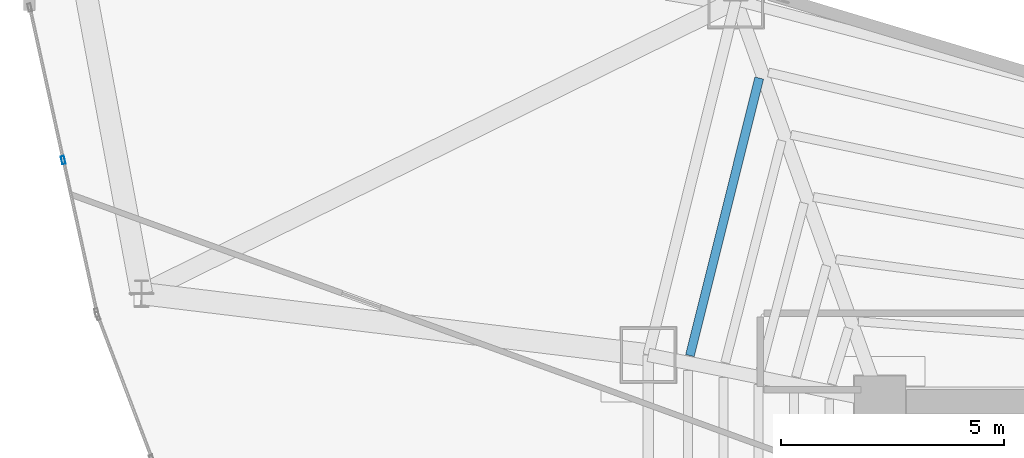
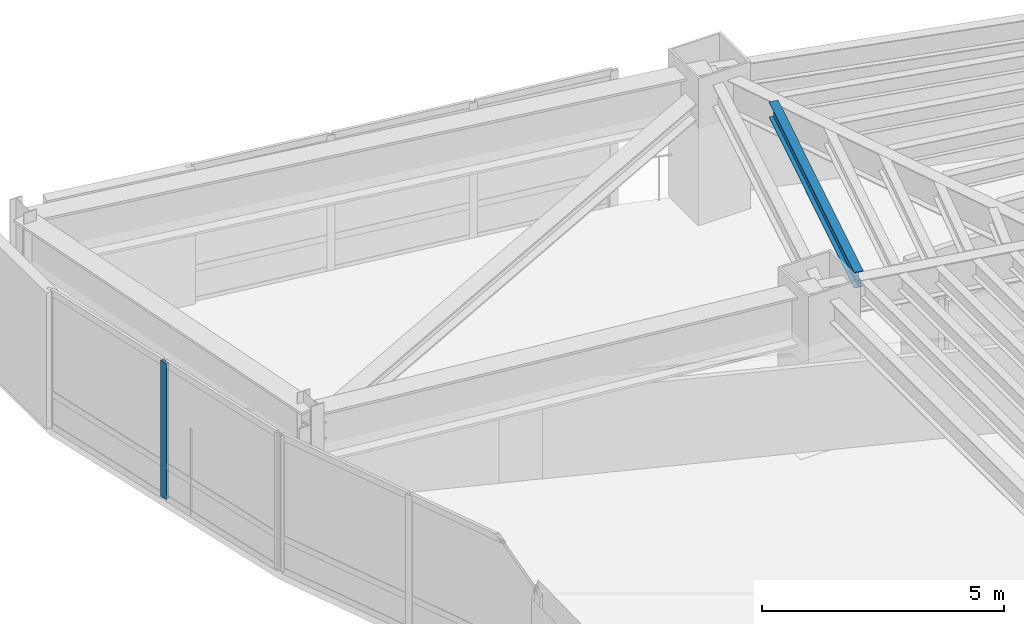
# One storey, part 9 of 25: 1 beam, 1 member, 1 element without a shape of its own.
"""IFC4 building model written with IfcOpenShell, lengths in metres."""

from ifc_helpers import new_model, si_unit, direction, frame, origin, origin_2d, place, context, subcontext, project, spatial, hollow_rectangle, i_section, extrude, material, layer, layer_set, material_profile, profile_set, type_object, element, aggregate, save


model = new_model("IFC4")

# Units and contexts
model_context = context("Model", 3, precision=1e-05, world=origin(), true_north=direction((0.0, 1.0)))
body_context = subcontext(model_context, "Body", "Model", "MODEL_VIEW")
ifc_project = project(units=[si_unit("LENGTHUNIT", "METRE"), si_unit("AREAUNIT", "SQUARE_METRE"), si_unit("VOLUMEUNIT", "CUBIC_METRE"), si_unit("PLANEANGLEUNIT", "RADIAN"), si_unit("MASSUNIT", "GRAM", prefix="KILO")], contexts=[model_context])

# Site, building, storey
site_placement = place(None, origin())
site = spatial("IfcSite", under=ifc_project, at=site_placement, CompositionType="ELEMENT")
building_placement = place(site_placement, origin())
building = spatial("IfcBuilding", under=site, at=building_placement, Name="Menara Vayukalpa", CompositionType="ELEMENT")
storey_placement = place(building_placement, frame((0.0, 0.0, 115.139892578125)))
storey = spatial("IfcBuildingStorey", under=building, at=storey_placement, Name="L28", CompositionType="ELEMENT", Elevation=115.139892578125)

# Beam
ifc_material_1 = material(Name="Steel S355", Category="steel")
ifc_material_profile_1 = material_profile(ifc_material_1, i_section(OverallWidth=0.199951171875, OverallDepth=0.39990234375, WebThickness=0.008056640625, FlangeThickness=0.012939453125, at=origin_2d()), Name="WF 400x200x8x13")
ifc_profile_set_1 = profile_set([ifc_material_profile_1], Name="Steel S355")
beam_type = type_object("IfcBeamType", Name="BM-SJ2", PredefinedType="JOIST", material=ifc_profile_set_1)
beam_placement = place(storey_placement, frame((15.09423828125, 34.055419921875, 3.239990234375), z_axis=(-0.242481900969, -0.970155929582, 0.0), x_axis=(0.970155929582, -0.242481900969, 0.0)))
element("IfcBeam", 1, at=beam_placement, inside=storey, type_object=beam_type, Name="L28 Secondary Floor Joist SJ04-5", PredefinedType="JOIST", context=body_context, shape_type="SweptSolid", body=[
    extrude(i_section(OverallWidth=0.199951171875, OverallDepth=0.39990234375, WebThickness=0.008056640625, FlangeThickness=0.012939453125, at=origin_2d()), origin(), (0.0, 0.0, 1.0), 6.41552734375),
])

# Curtain wall, member
ifc_material_2 = material(Name="Anodised Terracotta Aluminium Alloy 6063-T6", Category="masonry")
ifc_layer = layer(ifc_material_2, 0.179931640625)
ifc_layer_set = layer_set([ifc_layer], Name="Anodised Terracotta Aluminium Alloy 6063-T6")
curtain_wall_type = type_object("IfcCurtainWallType", Name="CW-CW4", PredefinedType="USERDEFINED", material=ifc_layer_set)
curtain_wall_placement = place(storey_placement, origin())
curtain_wall = element("IfcCurtainWall", 2, at=curtain_wall_placement, inside=storey, type_object=curtain_wall_type, Name="L28 Sky Bar Cantilever Glazed Curtain Wall CW4 10", ObjectType="UNITISED", PredefinedType="USERDEFINED")
ifc_material_3 = material(Name="Anodised Terracotta Aluminium Alloy 6063-T6", Category="masonry")
ifc_material_profile_2 = material_profile(ifc_material_3, hollow_rectangle(XDim=0.074951171875, YDim=0.179931640625, WallThickness=0.00390625, at=origin_2d()), Name="ALU 75x180x4")
ifc_profile_set_2 = profile_set([ifc_material_profile_2], Name="Anodised Terracotta Aluminium Alloy 6063-T6")
member_type = type_object("IfcMemberType", Name="CWM-CW4", PredefinedType="MULLION", material=ifc_profile_set_2)
member_placement = place(storey_placement, frame((-0.515869140625, 32.21484375, 0.0), z_axis=(0.0, 0.0, 1.0), x_axis=(0.976721757533, 0.214510159112, 0.0)))
member = element("IfcMember", 3, at=member_placement, type_object=member_type, Name="CW4 mullion 2", PredefinedType="MULLION", context=body_context, shape_type="SweptSolid", body=[
    extrude(hollow_rectangle(XDim=0.074951171875, YDim=0.179931640625, WallThickness=0.00390625, at=origin_2d()), origin(), (0.0, 0.0, 1.0), 3.440185546875),
])
aggregate(curtain_wall, [member])

save(model, "model.ifc")
